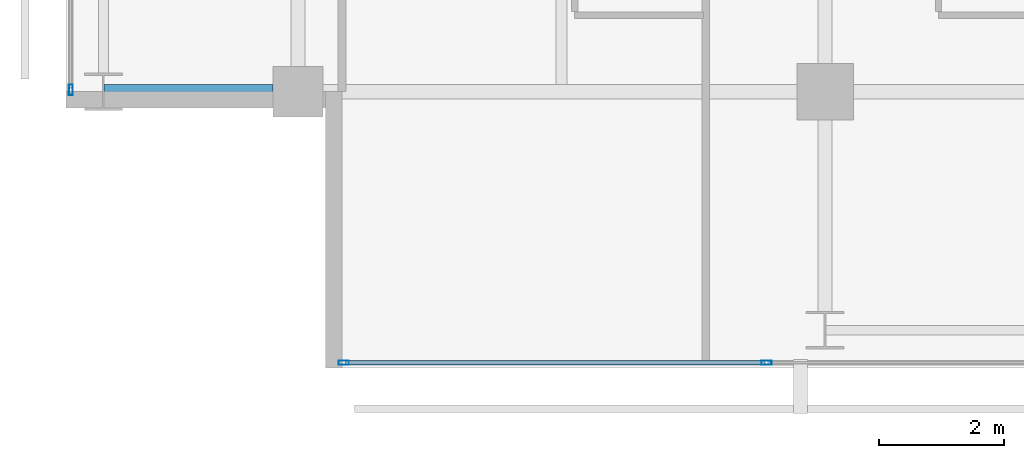
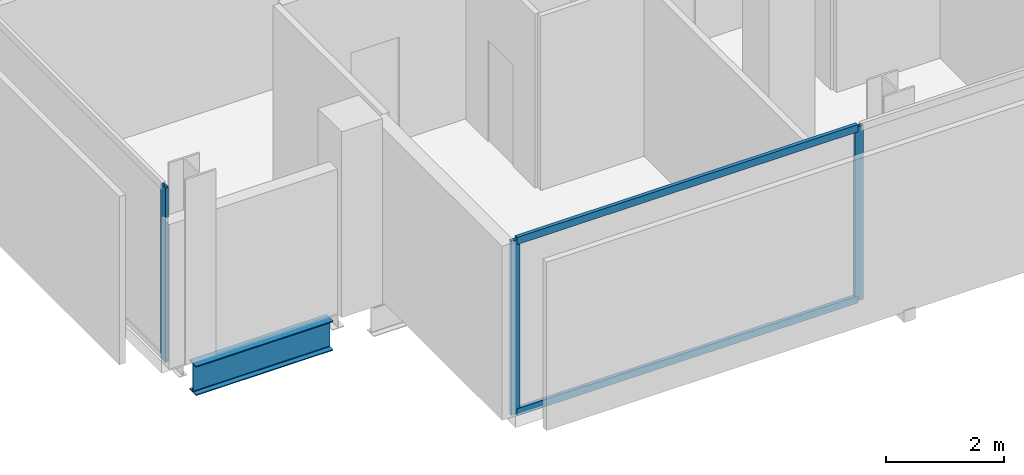
# One storey, part 2 of 34: 5 members, 1 beam, 2 elements without a shape of their own.
"""IFC4 building model written with IfcOpenShell, lengths in metres."""

from ifc_helpers import new_model, si_unit, direction, frame, origin, origin_2d, place, context, subcontext, project, spatial, hollow_rectangle, i_section, extrude, material, layer, layer_set, material_profile, profile_set, type_object, element, aggregate, save


model = new_model("IFC4")

# Units and contexts
model_context = context("Model", 3, precision=1e-05, world=origin(), true_north=direction((0.0, 1.0)))
body_context = subcontext(model_context, "Body", "Model", "MODEL_VIEW")
ifc_project = project(units=[si_unit("LENGTHUNIT", "METRE"), si_unit("AREAUNIT", "SQUARE_METRE"), si_unit("VOLUMEUNIT", "CUBIC_METRE"), si_unit("PLANEANGLEUNIT", "RADIAN"), si_unit("MASSUNIT", "GRAM", prefix="KILO")], contexts=[model_context])

# Site, building, storey
site_placement = place(None, origin())
site = spatial("IfcSite", under=ifc_project, at=site_placement, CompositionType="ELEMENT")
building_placement = place(site_placement, origin())
building = spatial("IfcBuilding", under=site, at=building_placement, Name="Maruvema Waterfront Hotel and Observation Tower", CompositionType="ELEMENT")
storey_placement = place(building_placement, frame((0.0, 0.0, 131.25)))
storey = spatial("IfcBuildingStorey", under=building, at=storey_placement, Name="L31", CompositionType="ELEMENT", Elevation=131.25)

# Curtain wall, members
ifc_material_1 = material(Name="Anodised bronze aluminium and solar-control low-E IGU", Category="aluminium")
ifc_layer = layer(ifc_material_1, 0.159912109375, Name="Zone 2 Amber Inner Thermal Curtain Wall System CW-03")
ifc_layer_set = layer_set([ifc_layer], Name="Anodised bronze aluminium and solar-control low-E IGU")
curtain_wall_type = type_object("IfcCurtainWallType", Name="Zone 2 Amber Inner Thermal Curtain Wall System CW-03", PredefinedType="USERDEFINED", material=ifc_layer_set)
curtain_wall_1_placement = place(storey_placement, origin())
curtain_wall_1 = element("IfcCurtainWall", 1, at=curtain_wall_1_placement, inside=storey, type_object=curtain_wall_type, Name="L31 Curtain Wall CW-L31-S", ObjectType="UNITISED CURTAIN WALL", PredefinedType="USERDEFINED")
ifc_material_2 = material(Name="Anodised architectural bronze aluminium", Category="aluminium")
ifc_material_profile_1 = material_profile(ifc_material_2, hollow_rectangle(XDim=0.070068359375, YDim=0.14990234375, WallThickness=0.00390625, at=origin_2d()), Name="ALU-T70x150")
ifc_profile_set_1 = profile_set([ifc_material_profile_1], Name="Anodised architectural bronze aluminium")
member_type_1 = type_object("IfcMemberType", Name="Curtain Wall Horizontal Transom ALU-T70x150", PredefinedType="USERDEFINED", material=ifc_profile_set_1)
member_1_placement = place(storey_placement, frame((17.56005859375, 4.679931640625, 0.030029296875), z_axis=(1.0, 0.0, 0.0), x_axis=(0.0, 1.0, 0.0)))
member_1 = element("IfcMember", 2, at=member_1_placement, type_object=member_type_1, Name="CW-03 transom 1.1", ObjectType="TRANSOM", PredefinedType="USERDEFINED", context=body_context, shape_type="SweptSolid", body=[
    extrude(hollow_rectangle(XDim=0.070068359375, YDim=0.14990234375, WallThickness=0.00390625, at=origin_2d()), origin(), (0.0, 0.0, 1.0), 6.676513671875),
])
member_2_placement = place(storey_placement, frame((17.56005859375, 4.679931640625, 3.580078125), z_axis=(1.0, 0.0, 0.0), x_axis=(0.0, 1.0, 0.0)))
member_2 = element("IfcMember", 3, at=member_2_placement, type_object=member_type_1, Name="CW-03 transom 1.2", ObjectType="TRANSOM", PredefinedType="USERDEFINED", context=body_context, shape_type="SweptSolid", body=[
    extrude(hollow_rectangle(XDim=0.070068359375, YDim=0.14990234375, WallThickness=0.00390625, at=origin_2d()), origin(), (0.0, 0.0, 1.0), 6.676513671875),
])
ifc_material_3 = material(Name="Anodised architectural bronze aluminium", Category="aluminium")
ifc_material_profile_2 = material_profile(ifc_material_3, hollow_rectangle(XDim=0.06494140625, YDim=0.1650390625, WallThickness=0.00390625, at=origin_2d()), Name="ALU-M65x165")
ifc_profile_set_2 = profile_set([ifc_material_profile_2], Name="Anodised architectural bronze aluminium")
member_type_2 = type_object("IfcMemberType", Name="Curtain Wall Primary Mullion ALU-M65x165", PredefinedType="MULLION", material=ifc_profile_set_2)
member_3_placement = place(storey_placement, frame((17.530029296875, 4.679931640625, 0.0), z_axis=(0.0, 0.0, 1.0), x_axis=(0.0, 1.0, 0.0)))
member_3 = element("IfcMember", 4, at=member_3_placement, type_object=member_type_2, Name="CW-03 mullion 1", PredefinedType="MULLION", context=body_context, shape_type="SweptSolid", body=[
    extrude(hollow_rectangle(XDim=0.06494140625, YDim=0.1650390625, WallThickness=0.00390625, at=origin_2d()), origin(), (0.0, 0.0, 1.0), 3.610107421875),
])
member_4_placement = place(storey_placement, frame((24.2666015625, 4.679931640625, 0.0), z_axis=(0.0, 0.0, 1.0), x_axis=(0.0, 1.0, 0.0)))
member_4 = element("IfcMember", 5, at=member_4_placement, type_object=member_type_2, Name="CW-03 mullion 2", PredefinedType="MULLION", context=body_context, shape_type="SweptSolid", body=[
    extrude(hollow_rectangle(XDim=0.06494140625, YDim=0.1650390625, WallThickness=0.00390625, at=origin_2d()), origin(), (0.0, 0.0, 1.0), 3.610107421875),
])
aggregate(curtain_wall_1, [member_3, member_4, member_1, member_2])

# Curtain wall, member
curtain_wall_2_placement = place(storey_placement, origin())
curtain_wall_2 = element("IfcCurtainWall", 6, at=curtain_wall_2_placement, inside=storey, type_object=curtain_wall_type, Name="L31 Curtain Wall CW-L31-W", ObjectType="UNITISED CURTAIN WALL", PredefinedType="USERDEFINED")
member_5_placement = place(storey_placement, frame((13.179931640625, 9.030029296875, 0.0), z_axis=(0.0, 0.0, 1.0), x_axis=(1.0, 0.0, 0.0)))
member_5 = element("IfcMember", 7, at=member_5_placement, type_object=member_type_2, Name="CW-03 mullion 7", PredefinedType="MULLION", context=body_context, shape_type="SweptSolid", body=[
    extrude(hollow_rectangle(XDim=0.06494140625, YDim=0.1650390625, WallThickness=0.00390625, at=origin_2d()), origin(), (0.0, 0.0, 1.0), 3.610107421875),
])
aggregate(curtain_wall_2, [member_5])

# Beam
ifc_material_4 = material(Name="Steel ASTM A572 Grade 50", Category="steel")
ifc_material_profile_3 = material_profile(ifc_material_4, i_section(OverallWidth=0.22900390625, OverallDepth=0.612060546875, WebThickness=0.011962890625, FlangeThickness=0.01953125, FilletRadius=0.01806640625, at=origin_2d()), Name="W610x125.0")
ifc_profile_set_3 = profile_set([ifc_material_profile_3], Name="Steel ASTM A572 Grade 50")
beam_type = type_object("IfcBeamType", Name="Primary Floor Girder W610x125.0", PredefinedType="BEAM", material=ifc_profile_set_3)
beam_placement = place(storey_placement, frame((13.71240234375, 9.0, -0.5458984375), z_axis=(1.0, 0.0, 0.0), x_axis=(0.0, 1.0, 0.0)))
element("IfcBeam", 8, at=beam_placement, inside=storey, type_object=beam_type, Name="L31 Floor Girder EW-04", PredefinedType="BEAM", context=body_context, shape_type="SweptSolid", body=[
    extrude(i_section(OverallWidth=0.22900390625, OverallDepth=0.612060546875, WebThickness=0.011962890625, FlangeThickness=0.01953125, FilletRadius=0.01806640625, at=origin_2d()), origin(), (0.0, 0.0, 1.0), 2.6875),
])

save(model, "model.ifc")
